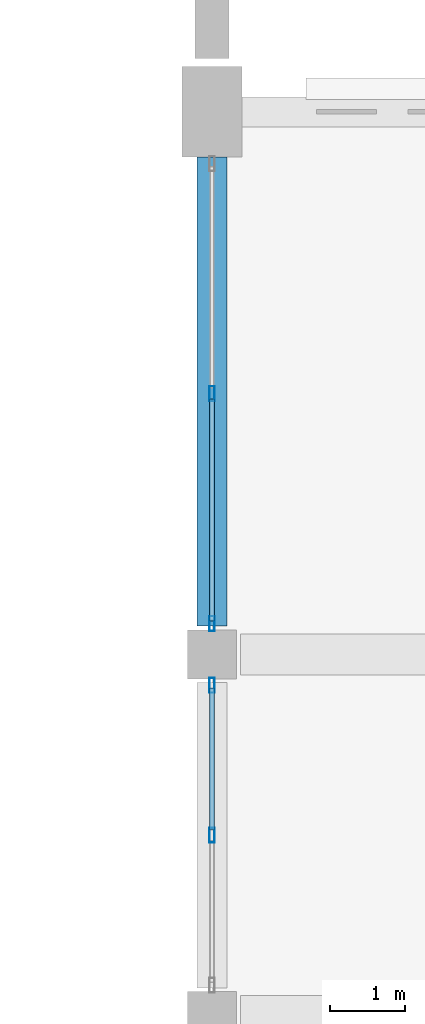
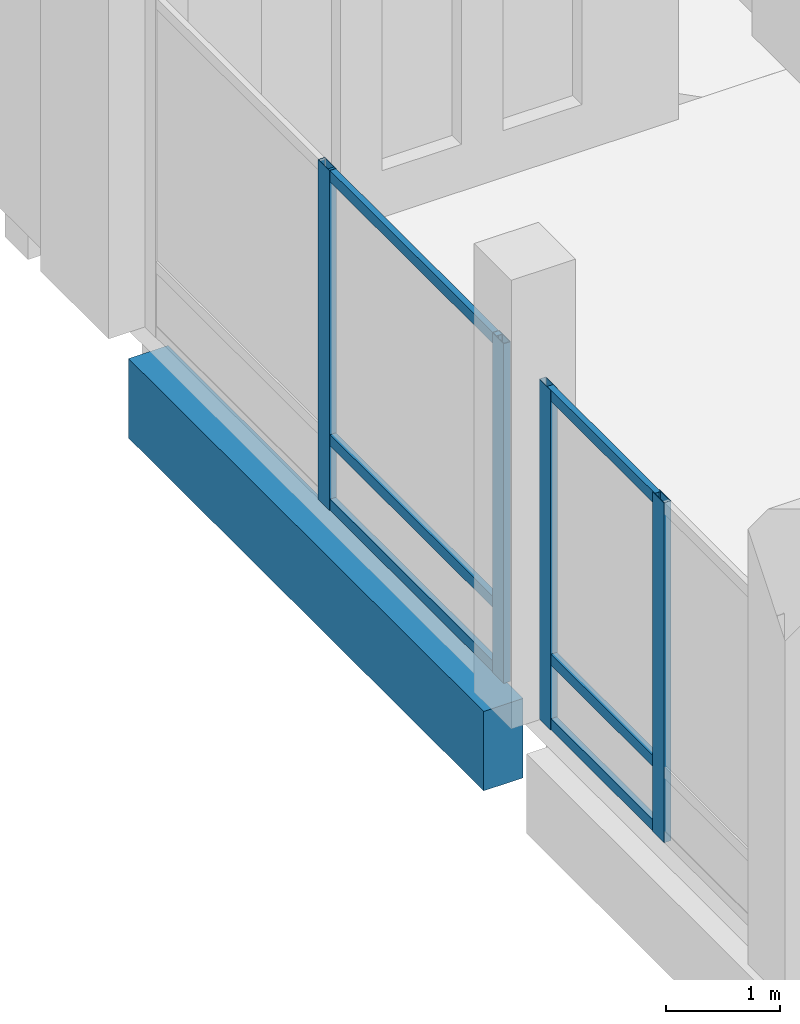
# One storey, part 106 of 220: 10 members, 1 beam, 2 elements without a shape of their own.
"""IFC4 building model written with IfcOpenShell, lengths in metres."""

from ifc_helpers import new_model, si_unit, direction, frame, origin, origin_2d, place, context, subcontext, project, spatial, rectangle, hollow_rectangle, extrude, material, material_profile, profile_set, type_object, element, aggregate, save


model = new_model("IFC4")

# Units and contexts
model_context = context("Model", 3, precision=1e-05, world=origin(), true_north=direction((0.0, 1.0)))
body_context = subcontext(model_context, "Body", "Model", "MODEL_VIEW")
ifc_project = project(units=[si_unit("LENGTHUNIT", "METRE"), si_unit("AREAUNIT", "SQUARE_METRE"), si_unit("VOLUMEUNIT", "CUBIC_METRE"), si_unit("PLANEANGLEUNIT", "RADIAN"), si_unit("MASSUNIT", "GRAM", prefix="KILO")], contexts=[model_context])

# Site, building, storey
site_placement = place(None, origin())
site = spatial("IfcSite", under=ifc_project, at=site_placement, CompositionType="ELEMENT")
building_placement = place(site_placement, origin())
building = spatial("IfcBuilding", under=site, at=building_placement, Name="Cendralis Lancet Convention Centre", CompositionType="ELEMENT")
storey_placement = place(building_placement, frame((0.0, 0.0, 5.39990234375)))
storey = spatial("IfcBuildingStorey", under=building, at=storey_placement, Name="L01", CompositionType="ELEMENT", Elevation=5.39990234375)

# Curtain wall, members
ifc_material_1 = material(Name="Anodised bronze architectural aluminium", Category="aluminium")
curtain_wall_type = type_object("IfcCurtainWallType", Name="ARC-CW-PL01", PredefinedType="USERDEFINED", material=ifc_material_1)
curtain_wall_1_placement = place(storey_placement, origin())
curtain_wall_1 = element("IfcCurtainWall", 1, at=curtain_wall_1_placement, inside=storey, type_object=curtain_wall_type, Name="L01 Curtain Wall CW-PL1 #119", ObjectType="CURTAIN WALL", PredefinedType="USERDEFINED")
ifc_material_profile_1 = material_profile(ifc_material_1, hollow_rectangle(XDim=0.070068359375, YDim=0.199951171875, WallThickness=0.0048828125, at=origin_2d()), Name="AL-MULL 70x200x5.0")
ifc_profile_set_1 = profile_set([ifc_material_profile_1], Name="Anodised bronze architectural aluminium")
member_type_1 = type_object("IfcMemberType", Name="ARC-CW-ML02", PredefinedType="MULLION", material=ifc_profile_set_1)
member_1_placement = place(storey_placement, frame((139.199951171875, 81.60009765625, 0.0), z_axis=(0.0, 0.0, 1.0), x_axis=(1.0, 0.0, 0.0)))
member_1 = element("IfcMember", 2, at=member_1_placement, type_object=member_type_1, Name="Mullion CW2-CW-PL1-L01-119-M1", PredefinedType="MULLION", context=body_context, shape_type="SweptSolid", body=[
    extrude(hollow_rectangle(XDim=0.070068359375, YDim=0.199951171875, WallThickness=0.0048828125, at=origin_2d()), origin(), (0.0, 0.0, 1.0), 3.635009765625),
])
member_2_placement = place(storey_placement, frame((139.199951171875, 83.590087890625, 0.0), z_axis=(0.0, 0.0, 1.0), x_axis=(1.0, 0.0, 0.0)))
member_2 = element("IfcMember", 3, at=member_2_placement, type_object=member_type_1, Name="Mullion CW2-CW-PL1-L01-119-M2", PredefinedType="MULLION", context=body_context, shape_type="SweptSolid", body=[
    extrude(hollow_rectangle(XDim=0.070068359375, YDim=0.199951171875, WallThickness=0.0048828125, at=origin_2d()), origin(), (0.0, 0.0, 1.0), 3.635009765625),
])

curtain_wall_2_placement = place(storey_placement, origin())
curtain_wall_2 = element("IfcCurtainWall", 4, at=curtain_wall_2_placement, inside=storey, type_object=curtain_wall_type, Name="L01 Curtain Wall CW-PL1 #120", ObjectType="CURTAIN WALL", PredefinedType="USERDEFINED")
member_3_placement = place(storey_placement, frame((139.199951171875, 84.409912109375, 0.0), z_axis=(0.0, 0.0, 1.0), x_axis=(1.0, 0.0, 0.0)))
member_3 = element("IfcMember", 5, at=member_3_placement, type_object=member_type_1, Name="Mullion CW2-CW-PL1-L01-120-M0", PredefinedType="MULLION", context=body_context, shape_type="SweptSolid", body=[
    extrude(hollow_rectangle(XDim=0.070068359375, YDim=0.199951171875, WallThickness=0.0048828125, at=origin_2d()), origin(), (0.0, 0.0, 1.0), 3.635009765625),
])
member_4_placement = place(storey_placement, frame((139.199951171875, 87.46240234375, 0.0), z_axis=(0.0, 0.0, 1.0), x_axis=(1.0, 0.0, 0.0)))
member_4 = element("IfcMember", 6, at=member_4_placement, type_object=member_type_1, Name="Mullion CW2-CW-PL1-L01-120-M1", PredefinedType="MULLION", context=body_context, shape_type="SweptSolid", body=[
    extrude(hollow_rectangle(XDim=0.070068359375, YDim=0.199951171875, WallThickness=0.0048828125, at=origin_2d()), origin(), (0.0, 0.0, 1.0), 3.635009765625),
])

# Member
ifc_material_profile_2 = material_profile(ifc_material_1, hollow_rectangle(XDim=0.06005859375, YDim=0.1201171875, WallThickness=0.00390625, at=origin_2d()), Name="AL-TRAN 60x120x4.0")
ifc_profile_set_2 = profile_set([ifc_material_profile_2], Name="Anodised bronze architectural aluminium")
member_type_2 = type_object("IfcMemberType", Name="ARC-CW-TR01", PredefinedType="USERDEFINED", material=ifc_profile_set_2)
member_5_placement = place(storey_placement, frame((139.199951171875, 81.669921875, 0.06005859375), z_axis=(0.0, 1.0, 0.0), x_axis=(-1.0, 0.0, 0.0)))
member_5 = element("IfcMember", 7, at=member_5_placement, type_object=member_type_2, Name="Transom CW2-CW-PL1-L01-119-T1BOT", ObjectType="TRANSOM", PredefinedType="USERDEFINED", context=body_context, shape_type="SweptSolid", body=[
    extrude(hollow_rectangle(XDim=0.06005859375, YDim=0.1201171875, WallThickness=0.00390625, at=origin_2d()), origin(), (0.0, 0.0, 1.0), 1.885009765625),
])

member_6_placement = place(storey_placement, frame((139.199951171875, 81.669921875, 0.75), z_axis=(0.0, 1.0, 0.0), x_axis=(-1.0, 0.0, 0.0)))
member_6 = element("IfcMember", 8, at=member_6_placement, type_object=member_type_2, Name="Transom CW2-CW-PL1-L01-119-T1MID", ObjectType="TRANSOM", PredefinedType="USERDEFINED", context=body_context, shape_type="SweptSolid", body=[
    extrude(hollow_rectangle(XDim=0.06005859375, YDim=0.1201171875, WallThickness=0.00390625, at=origin_2d()), origin(), (0.0, 0.0, 1.0), 1.885009765625),
])

member_7_placement = place(storey_placement, frame((139.199951171875, 81.669921875, 3.5751953125), z_axis=(0.0, 1.0, 0.0), x_axis=(-1.0, 0.0, 0.0)))
member_7 = element("IfcMember", 9, at=member_7_placement, type_object=member_type_2, Name="Transom CW2-CW-PL1-L01-119-T1TOP", ObjectType="TRANSOM", PredefinedType="USERDEFINED", context=body_context, shape_type="SweptSolid", body=[
    extrude(hollow_rectangle(XDim=0.06005859375, YDim=0.1201171875, WallThickness=0.00390625, at=origin_2d()), origin(), (0.0, 0.0, 1.0), 1.885009765625),
])

aggregate(curtain_wall_1, [member_1, member_2, member_5, member_6, member_7])

member_8_placement = place(storey_placement, frame((139.199951171875, 84.445068359375, 0.06005859375), z_axis=(0.0, 1.0, 0.0), x_axis=(-1.0, 0.0, 0.0)))
member_8 = element("IfcMember", 10, at=member_8_placement, type_object=member_type_2, Name="Transom CW2-CW-PL1-L01-120-T0BOT", ObjectType="TRANSOM", PredefinedType="USERDEFINED", context=body_context, shape_type="SweptSolid", body=[
    extrude(hollow_rectangle(XDim=0.06005859375, YDim=0.1201171875, WallThickness=0.00390625, at=origin_2d()), origin(), (0.0, 0.0, 1.0), 2.947509765625),
])

member_9_placement = place(storey_placement, frame((139.199951171875, 84.445068359375, 0.75), z_axis=(0.0, 1.0, 0.0), x_axis=(-1.0, 0.0, 0.0)))
member_9 = element("IfcMember", 11, at=member_9_placement, type_object=member_type_2, Name="Transom CW2-CW-PL1-L01-120-T0MID", ObjectType="TRANSOM", PredefinedType="USERDEFINED", context=body_context, shape_type="SweptSolid", body=[
    extrude(hollow_rectangle(XDim=0.06005859375, YDim=0.1201171875, WallThickness=0.00390625, at=origin_2d()), origin(), (0.0, 0.0, 1.0), 2.947509765625),
])

member_10_placement = place(storey_placement, frame((139.199951171875, 84.445068359375, 3.5751953125), z_axis=(0.0, 1.0, 0.0), x_axis=(-1.0, 0.0, 0.0)))
member_10 = element("IfcMember", 12, at=member_10_placement, type_object=member_type_2, Name="Transom CW2-CW-PL1-L01-120-T0TOP", ObjectType="TRANSOM", PredefinedType="USERDEFINED", context=body_context, shape_type="SweptSolid", body=[
    extrude(hollow_rectangle(XDim=0.06005859375, YDim=0.1201171875, WallThickness=0.00390625, at=origin_2d()), origin(), (0.0, 0.0, 1.0), 2.947509765625),
])

aggregate(curtain_wall_2, [member_3, member_4, member_8, member_9, member_10])

# Beam
ifc_material_2 = material(Name="Concrete G40 (C40/50)", Category="concrete")
ifc_material_profile_3 = material_profile(ifc_material_2, rectangle(XDim=0.39990234375, YDim=0.85009765625, at=origin_2d()), Name="RCB 400x850")
ifc_profile_set_3 = profile_set([ifc_material_profile_3], Name="Concrete G40 (C40/50)")
beam_type = type_object("IfcBeamType", Name="STR-SP-SP02", PredefinedType="SPANDREL", material=ifc_profile_set_3)
beam_placement = place(storey_placement, frame((139.199951171875, 84.375, -0.704833984375), z_axis=(0.0, 1.0, 0.0), x_axis=(-1.0, 0.0, 0.0)))
element("IfcBeam", 13, at=beam_placement, inside=storey, type_object=beam_type, Name="L01 Beam SP02 #1426", PredefinedType="SPANDREL", context=body_context, shape_type="SweptSolid", body=[
    extrude(rectangle(XDim=0.39990234375, YDim=0.85009765625, at=origin_2d()), origin(), (0.0, 0.0, 1.0), 6.22509765625),
])

save(model, "model.ifc")
